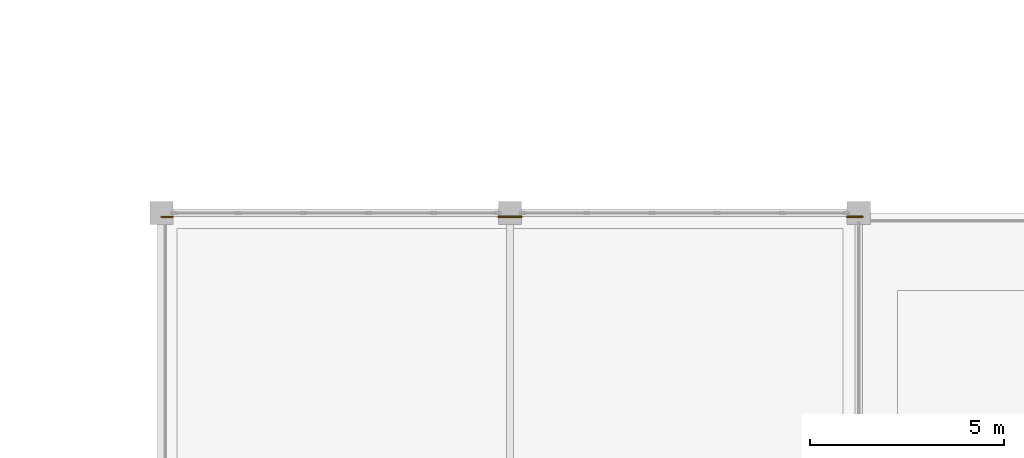
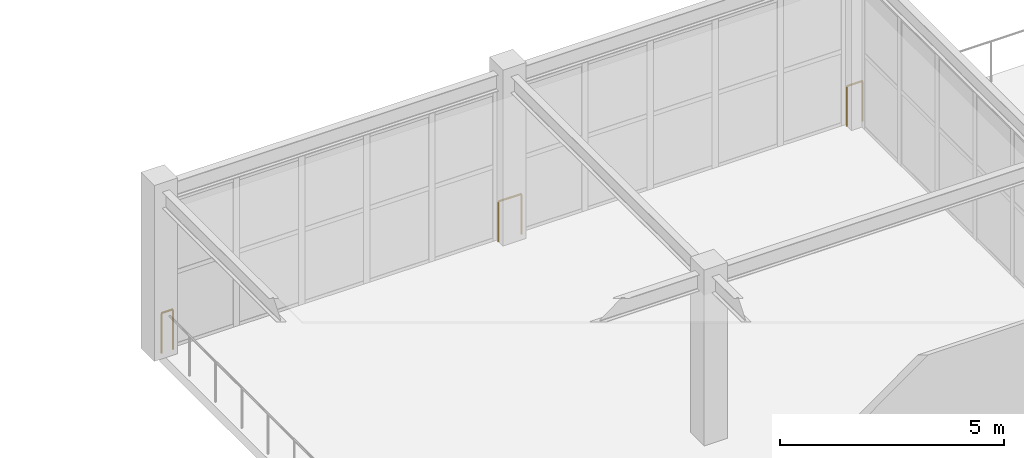
# One storey, part 163 of 167: 3 railings.
"""IFC4 building model written with IfcOpenShell, lengths in metres."""

import ifcopenshell
import ifcopenshell.guid

model = None  # the IFC model being written
_history = None  # IfcOwnerHistory: only IFC2X3 demands one
_inside = {}  # id of a spatial element -> (the spatial element, [elements in it])
_under = {}  # id of a project, library or spatial element -> (it, [spatial elements below it])
_declared = {}  # id of a project -> (the project, [libraries it declares])
_typed = {}  # id of a type object -> (the type object, [elements of that type])
_made_of = {}  # id of a material, layer set ... -> (it, [elements and type objects made of it])


def new_model(schema):
    """Start an empty IFC model of exactly this schema.

    Asked for "IFC4X3", IfcOpenShell would pick the latest addendum, in which some entities
    have other attributes; the version numbers below select the first issue.
    IFC2X3 requires an IfcOwnerHistory on every rooted entity: one is made here for all.
    """
    global model, _history
    if schema == "IFC4X3":
        model = ifcopenshell.file(schema_version=(4, 3, 0, 0))
    else:
        model = ifcopenshell.file(schema=schema)
    _inside.clear()
    _under.clear()
    _declared.clear()
    _typed.clear()
    _made_of.clear()
    _history = None
    if model.schema == "IFC2X3":
        org = make("IfcOrganization", Name="unknown")
        user = make(
            "IfcPersonAndOrganization",
            ThePerson=make("IfcPerson", FamilyName="unknown"),
            TheOrganization=org,
        )
        app = make(
            "IfcApplication",
            ApplicationDeveloper=org,
            Version="unknown",
            ApplicationFullName="unknown",
            ApplicationIdentifier="unknown",
        )
        _history = make(
            "IfcOwnerHistory",
            OwningUser=user,
            OwningApplication=app,
            ChangeAction="ADDED",
            CreationDate=0,
        )
    return model


def make(cls, **values):
    """One entity of the class cls with the attributes given. An attribute that is None is left unset."""
    return model.create_entity(
        cls, **{name: value for name, value in values.items() if value is not None}
    )


def rooted(cls, **values):
    """An entity with a GlobalId (a new one), such as an element, a storey or a relation."""
    return make(cls, GlobalId=ifcopenshell.guid.new(), OwnerHistory=_history, **values)


def si_unit(unit_type, name, prefix=None):
    """IfcSIUnit, for example si_unit("LENGTHUNIT", "METRE", prefix="MILLI")."""
    return make("IfcSIUnit", UnitType=unit_type, Prefix=prefix, Name=name)


def assignment(units):
    """IfcUnitAssignment: the units of a project."""
    return None if units is None else make("IfcUnitAssignment", Units=units)


def point(xyz):
    """IfcCartesianPoint."""
    return None if xyz is None else make("IfcCartesianPoint", Coordinates=xyz)


def direction(xyz):
    """IfcDirection."""
    return None if xyz is None else make("IfcDirection", DirectionRatios=xyz)


def frame(location, z_axis=None, x_axis=None):
    """IfcAxis2Placement3D, a coordinate frame: its origin and axes. An axis left out is left unset."""
    return make(
        "IfcAxis2Placement3D",
        Location=point(location),
        Axis=direction(z_axis),
        RefDirection=direction(x_axis),
    )


def frame_2d(location, x_axis=None):
    """IfcAxis2Placement2D, a coordinate frame in the plane: its origin and x axis."""
    return make(
        "IfcAxis2Placement2D", Location=point(location), RefDirection=direction(x_axis)
    )


def origin():
    """The frame at (0, 0, 0) with its axes left unset."""
    return frame((0.0, 0.0, 0.0))


def origin_2d():
    """The frame at (0, 0) in the plane with its x axis left unset."""
    return frame_2d((0.0, 0.0))


def place(relative_to, where):
    """IfcLocalPlacement: puts the frame where relative to a parent placement (None: the world)."""
    return make(
        "IfcLocalPlacement", PlacementRelTo=relative_to, RelativePlacement=where
    )


def context(
    kind, dimensions, precision=None, world=None, true_north=None, identifier=None
):
    """IfcGeometricRepresentationContext, for example the 3D "Model" context."""
    return make(
        "IfcGeometricRepresentationContext",
        ContextIdentifier=identifier,
        ContextType=kind,
        CoordinateSpaceDimension=dimensions,
        Precision=precision,
        WorldCoordinateSystem=world,
        TrueNorth=true_north,
    )


def subcontext(parent, identifier, kind, view, scale=None):
    """IfcGeometricRepresentationSubContext, for example "Body" below "Model"."""
    return make(
        "IfcGeometricRepresentationSubContext",
        ContextIdentifier=identifier,
        ContextType=kind,
        ParentContext=parent,
        TargetScale=scale,
        TargetView=view,
    )


def project(units=None, contexts=None):
    """IfcProject with its units and contexts."""
    return rooted(
        "IfcProject",
        Name="project",
        RepresentationContexts=contexts,
        UnitsInContext=assignment(units),
    )


def spatial(cls, under=None, at=None, **own):
    """A site, building, storey or space (cls), placed at a placement, below another one or the project."""
    s = rooted(cls, ObjectPlacement=at, **own)
    if under is not None:
        _under.setdefault(under.id(), (under, []))[1].append(s)
    return s


def profile(cls, at=None, kind="AREA", **sizes):
    """A parametric profile (cls). Its sizes go by their IFC names, for example OverallWidth=200.0."""
    return make(cls, ProfileType=kind, Position=at, **sizes)


def circle(**sizes):
    """IfcCircleProfileDef."""
    return profile("IfcCircleProfileDef", **sizes)


def extrude(swept, where, along, depth):
    """IfcExtrudedAreaSolid: the profile swept, set in the frame where, extruded along a direction by depth."""
    return make(
        "IfcExtrudedAreaSolid",
        SweptArea=swept,
        Position=where,
        ExtrudedDirection=direction(along),
        Depth=depth,
    )


def shape(context_of_items, identifier, shape_type, items):
    """IfcShapeRepresentation: the items that make up one representation, for example the "Body"."""
    return make(
        "IfcShapeRepresentation",
        ContextOfItems=context_of_items,
        RepresentationIdentifier=identifier,
        RepresentationType=shape_type,
        Items=items,
    )


def material(Name=None, Category=None):
    """IfcMaterial."""
    return make("IfcMaterial", Name=Name, Category=Category)


def made_of(thing, what):
    """Note that an element or type object is made of a material, layer set ...; save() writes the relation."""
    if what is not None:
        _made_of.setdefault(what.id(), (what, []))[1].append(thing)
    return thing


def type_object(cls, material=None, **own):
    """A type object (cls), such as IfcWallType, which elements share."""
    return made_of(rooted(cls, **own), material)


def element(
    cls,
    number,
    at=None,
    inside=None,
    cuts=None,
    type_object=None,
    material=None,
    context=None,
    identifier="Body",
    shape_type=None,
    held_by="IfcProductDefinitionShape",
    body=None,
    shapes=None,
    **own,
):
    """One element of the class cls, such as IfcWall. Its Tag is "e" and its number.

    at: its placement. inside: the storey or other place that contains it. cuts: it is an
    opening in that element (IfcRelVoidsElement). A single representation is given by context,
    identifier, shape_type and body (its items); several are given by shapes. held_by: the class
    of the entity that holds the representations. save() writes the other relations.
    """
    e = rooted(cls, Tag="e%d" % number, ObjectPlacement=at, **own)
    if body is not None:
        shapes = [shape(context, identifier, shape_type, body)]
    if shapes is not None:
        e.Representation = make(held_by, Representations=shapes)
    if inside is not None:
        _inside.setdefault(inside.id(), (inside, []))[1].append(e)
    if cuts is not None:
        rooted(
            "IfcRelVoidsElement", RelatingBuildingElement=cuts, RelatedOpeningElement=e
        )
    if type_object is not None:
        _typed.setdefault(type_object.id(), (type_object, []))[1].append(e)
    return made_of(e, material)


def aggregate(whole, parts):
    """IfcRelAggregates: a whole, such as a stair, and the parts it consists of."""
    return rooted("IfcRelAggregates", RelatingObject=whole, RelatedObjects=parts)


def save(model, path):
    """Write the relations noted so far, then the file.

    IfcRelAggregates (storeys below a building ...), IfcRelContainedInSpatialStructure (elements
    in a storey), IfcRelDefinesByType, IfcRelAssociatesMaterial and IfcRelDeclares: one each for
    every whole, place, type object, material and project.
    """
    for whole, parts in _under.values():
        aggregate(whole, parts)
    for where, things in _inside.values():
        rooted(
            "IfcRelContainedInSpatialStructure",
            RelatedElements=things,
            RelatingStructure=where,
        )
    for kind, things in _typed.values():
        rooted("IfcRelDefinesByType", RelatedObjects=things, RelatingType=kind)
    for what, things in _made_of.values():
        rooted("IfcRelAssociatesMaterial", RelatedObjects=things, RelatingMaterial=what)
    for by, libraries in _declared.values():
        rooted("IfcRelDeclares", RelatingContext=by, RelatedDefinitions=libraries)
    model.write(path)


model = new_model("IFC4")

# Units and contexts
model_context = context("Model", 3, precision=1e-05, world=origin(), true_north=direction((0.0, 1.0)))
body_context = subcontext(model_context, "Body", "Model", "MODEL_VIEW")
ifc_project = project(units=[si_unit("LENGTHUNIT", "METRE"), si_unit("AREAUNIT", "SQUARE_METRE"), si_unit("VOLUMEUNIT", "CUBIC_METRE"), si_unit("PLANEANGLEUNIT", "RADIAN"), si_unit("MASSUNIT", "GRAM", prefix="KILO")], contexts=[model_context])

# Site, building, storey
site_placement = place(None, origin())
site = spatial("IfcSite", under=ifc_project, at=site_placement, CompositionType="ELEMENT")
building_placement = place(site_placement, origin())
building = spatial("IfcBuilding", under=site, at=building_placement, Name="Dornveld Trade and Exhibition Forum", CompositionType="ELEMENT")
storey_placement = place(building_placement, frame((0.0, 0.0, 16.800048828125)))
storey = spatial("IfcBuildingStorey", under=building, at=storey_placement, Name="L03", CompositionType="ELEMENT", Elevation=16.800048828125)

# Railings
ifc_material = material(Name="Dark-bronze steel and laminated glass balustrade", Category="steel")
railing_type = type_object("IfcRailingType", Name="RL-BALUST-CONC", PredefinedType="BALUSTRADE", material=ifc_material)
railing_1_placement = place(storey_placement, frame((198.0, 53.89990234375, 0.0)))
element("IfcRailing", 1, at=railing_1_placement, inside=storey, type_object=railing_type, Name="L03 deck edge balustrade 174", PredefinedType="BALUSTRADE", context=body_context, shape_type="SweptSolid", body=[
    extrude(circle(Radius=0.02490234375, at=origin_2d()), frame((0.0, 0.0, 1.09521484375), z_axis=(1.0, 0.0, 0.0), x_axis=(0.0, 1.0, 0.0)), (0.0, 0.0, 1.0), 0.2958984375),
    extrude(circle(Radius=0.02099609375, at=origin_2d()), origin(), (0.0, 0.0, 1.0), 1.070068359375),
    extrude(circle(Radius=0.02099609375, at=origin_2d()), frame((0.2958984375, 0.0, 0.0)), (0.0, 0.0, 1.0), 1.070068359375),
])
railing_2_placement = place(storey_placement, frame((206.7041015625, 53.89990234375, 0.0)))
element("IfcRailing", 2, at=railing_2_placement, inside=storey, type_object=railing_type, Name="L03 deck edge balustrade 175", PredefinedType="BALUSTRADE", context=body_context, shape_type="SweptSolid", body=[
    extrude(circle(Radius=0.02490234375, at=origin_2d()), frame((0.0, 0.0, 1.09521484375), z_axis=(1.0, 0.0, 0.0), x_axis=(0.0, 1.0, 0.0)), (0.0, 0.0, 1.0), 0.591796875),
    extrude(circle(Radius=0.02099609375, at=origin_2d()), origin(), (0.0, 0.0, 1.0), 1.070068359375),
    extrude(circle(Radius=0.02099609375, at=origin_2d()), frame((0.591796875, 0.0, 0.0)), (0.0, 0.0, 1.0), 1.070068359375),
])
railing_3_placement = place(storey_placement, frame((215.7041015625, 53.89990234375, 0.0)))
element("IfcRailing", 3, at=railing_3_placement, inside=storey, type_object=railing_type, Name="L03 deck edge balustrade 176", PredefinedType="BALUSTRADE", context=body_context, shape_type="SweptSolid", body=[
    extrude(circle(Radius=0.02490234375, at=origin_2d()), frame((0.0, 0.0, 1.09521484375), z_axis=(1.0, 0.0, 0.0), x_axis=(0.0, 1.0, 0.0)), (0.0, 0.0, 1.0), 0.39599609375),
    extrude(circle(Radius=0.02099609375, at=origin_2d()), origin(), (0.0, 0.0, 1.0), 1.070068359375),
    extrude(circle(Radius=0.02099609375, at=origin_2d()), frame((0.39599609375, 0.0, 0.0)), (0.0, 0.0, 1.0), 1.070068359375),
])

save(model, "model.ifc")
